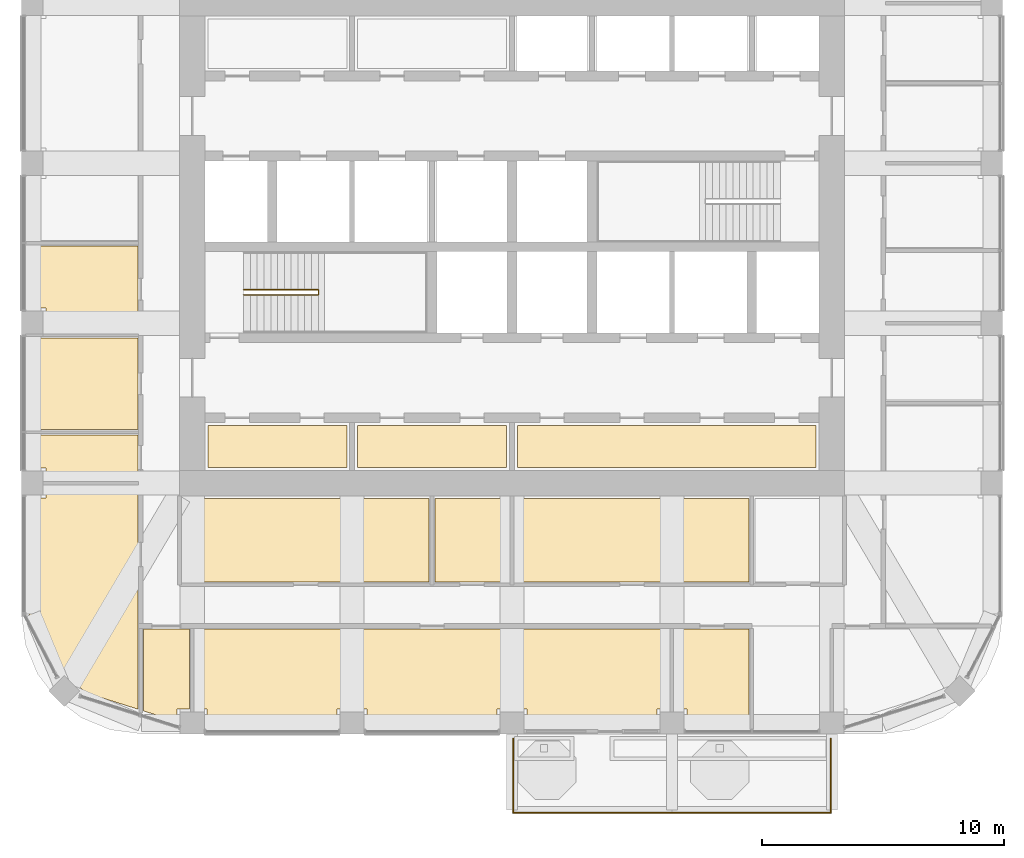
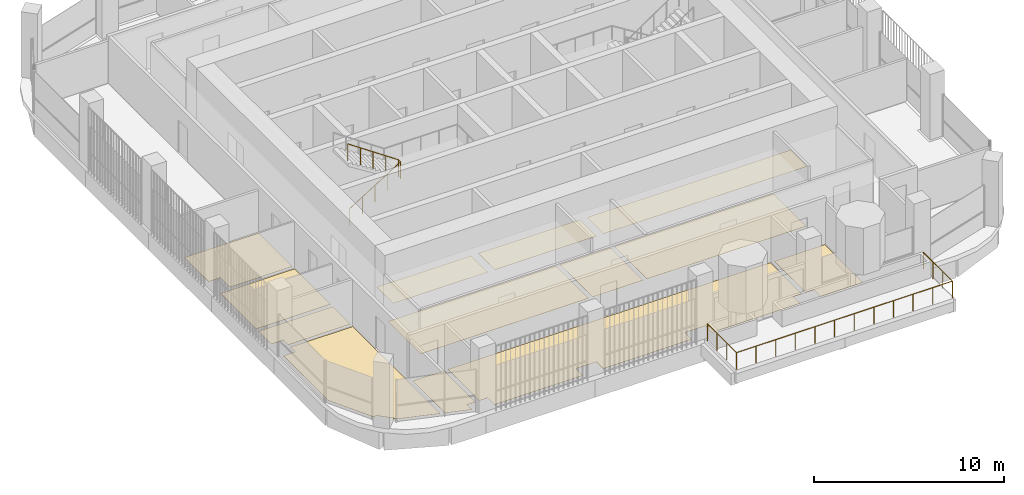
# One storey, part 18 of 21: 13 coverings, 2 railings.
"""IFC4 building model written with IfcOpenShell, lengths in metres."""

from ifc_helpers import new_model, si_unit, direction, frame, origin, place, context, subcontext, project, spatial, polyline, outline, extrude, material, layer, layer_set, type_object, element, save


model = new_model("IFC4")

# Units and contexts
model_context = context("Model", 3, precision=1e-05, world=origin(), true_north=direction((0.0, 1.0)))
body_context = subcontext(model_context, "Body", "Model", "MODEL_VIEW")
ifc_project = project(units=[si_unit("LENGTHUNIT", "METRE"), si_unit("AREAUNIT", "SQUARE_METRE"), si_unit("VOLUMEUNIT", "CUBIC_METRE"), si_unit("PLANEANGLEUNIT", "RADIAN"), si_unit("MASSUNIT", "GRAM", prefix="KILO")], contexts=[model_context])

# Site, building, storey
site_placement = place(None, origin())
site = spatial("IfcSite", under=ifc_project, at=site_placement, CompositionType="ELEMENT")
building_placement = place(site_placement, origin())
building = spatial("IfcBuilding", under=site, at=building_placement, Name="Cobogo Forest Laboratory Tower", CompositionType="ELEMENT")
storey_placement = place(building_placement, frame((0.0, 0.0, 275.39990234375)))
storey = spatial("IfcBuildingStorey", under=building, at=storey_placement, Name="L63", CompositionType="ELEMENT", Elevation=275.39990234375)

# Railing
ifc_material_1 = material(Name="Laminated glass balustrade", Category="glass")
railing_type_1 = type_object("IfcRailingType", Name="BG1 glass balustrade 1100", PredefinedType="GUARDRAIL", material=ifc_material_1)
railing_1_placement = place(storey_placement, frame((26.449951171875, 2.64990234375, 0.0)))
element("IfcRailing", 1, at=railing_1_placement, inside=storey, type_object=railing_type_1, Name="Balcony balustrade BAL-S1 L63", PredefinedType="GUARDRAIL", context=body_context, shape_type="SweptSolid", body=[
    extrude(outline(polyline([(0.022216796875, 0.00927734375), (0.00927734375, 0.022216796875), (-0.00927734375, 0.022216796875), (-0.022216796875, 0.00927734375), (-0.022216796875, -0.00927734375), (-0.00927734375, -0.022216796875), (0.00927734375, -0.022216796875), (0.022216796875, -0.00927734375), (0.022216796875, 0.00927734375)])), frame((0.0, 0.0, 1.077880859375), z_axis=(0.0, -1.0, 0.0), x_axis=(1.0, 0.0, 0.0)), (0.0, 0.0, 1.0), 3.0498046875),
    extrude(outline(polyline([(0.022216796875, 0.00927734375), (0.00927734375, 0.022216796875), (-0.00927734375, 0.022216796875), (-0.022216796875, 0.00927734375), (-0.022216796875, -0.00927734375), (-0.00927734375, -0.022216796875), (0.00927734375, -0.022216796875), (0.022216796875, -0.00927734375), (0.022216796875, 0.00927734375)])), frame((0.0, -3.0498046875, 1.077880859375), z_axis=(1.0, 0.0, 0.0), x_axis=(0.0, 1.0, 0.0)), (0.0, 0.0, 1.0), 13.10009765625),
    extrude(outline(polyline([(0.022216796875, 0.00927734375), (0.00927734375, 0.022216796875), (-0.00927734375, 0.022216796875), (-0.022216796875, 0.00927734375), (-0.022216796875, -0.00927734375), (-0.00927734375, -0.022216796875), (0.00927734375, -0.022216796875), (0.022216796875, -0.00927734375), (0.022216796875, 0.00927734375)])), frame((13.10009765625, -3.0498046875, 1.077880859375), z_axis=(0.0, 1.0, 0.0), x_axis=(-1.0, 0.0, 0.0)), (0.0, 0.0, 1.0), 3.0498046875),
    extrude(outline(polyline([(0.019287109375, 0.008056640625), (0.008056640625, 0.019287109375), (-0.008056640625, 0.019287109375), (-0.019287109375, 0.008056640625), (-0.019287109375, -0.008056640625), (-0.008056640625, -0.019287109375), (0.008056640625, -0.019287109375), (0.019287109375, -0.008056640625), (0.019287109375, 0.008056640625)])), origin(), (0.0, 0.0, 1.0), 1.077880859375),
    extrude(outline(polyline([(0.019287109375, 0.008056640625), (0.008056640625, 0.019287109375), (-0.008056640625, 0.019287109375), (-0.019287109375, 0.008056640625), (-0.019287109375, -0.008056640625), (-0.008056640625, -0.019287109375), (0.008056640625, -0.019287109375), (0.019287109375, -0.008056640625), (0.019287109375, 0.008056640625)])), frame((0.0, -1.0166015625, 0.0)), (0.0, 0.0, 1.0), 1.077880859375),
    extrude(outline(polyline([(0.019287109375, 0.008056640625), (0.008056640625, 0.019287109375), (-0.008056640625, 0.019287109375), (-0.019287109375, 0.008056640625), (-0.019287109375, -0.008056640625), (-0.008056640625, -0.019287109375), (0.008056640625, -0.019287109375), (0.019287109375, -0.008056640625), (0.019287109375, 0.008056640625)])), frame((0.0, -2.033203125, 0.0)), (0.0, 0.0, 1.0), 1.077880859375),
    extrude(outline(polyline([(0.019287109375, 0.008056640625), (0.008056640625, 0.019287109375), (-0.008056640625, 0.019287109375), (-0.019287109375, 0.008056640625), (-0.019287109375, -0.008056640625), (-0.008056640625, -0.019287109375), (0.008056640625, -0.019287109375), (0.019287109375, -0.008056640625), (0.019287109375, 0.008056640625)])), frame((0.0, -3.0498046875, 0.0)), (0.0, 0.0, 1.0), 1.077880859375),
    extrude(outline(polyline([(0.019287109375, 0.008056640625), (0.008056640625, 0.019287109375), (-0.008056640625, 0.019287109375), (-0.019287109375, 0.008056640625), (-0.019287109375, -0.008056640625), (-0.008056640625, -0.019287109375), (0.008056640625, -0.019287109375), (0.019287109375, -0.008056640625), (0.019287109375, 0.008056640625)])), frame((1.19091796875, -3.0498046875, 0.0)), (0.0, 0.0, 1.0), 1.077880859375),
    extrude(outline(polyline([(0.019287109375, 0.008056640625), (0.008056640625, 0.019287109375), (-0.008056640625, 0.019287109375), (-0.019287109375, 0.008056640625), (-0.019287109375, -0.008056640625), (-0.008056640625, -0.019287109375), (0.008056640625, -0.019287109375), (0.019287109375, -0.008056640625), (0.019287109375, 0.008056640625)])), frame((2.3818359375, -3.0498046875, 0.0)), (0.0, 0.0, 1.0), 1.077880859375),
    extrude(outline(polyline([(0.019287109375, 0.008056640625), (0.008056640625, 0.019287109375), (-0.008056640625, 0.019287109375), (-0.019287109375, 0.008056640625), (-0.019287109375, -0.008056640625), (-0.008056640625, -0.019287109375), (0.008056640625, -0.019287109375), (0.019287109375, -0.008056640625), (0.019287109375, 0.008056640625)])), frame((3.57275390625, -3.0498046875, 0.0)), (0.0, 0.0, 1.0), 1.077880859375),
    extrude(outline(polyline([(0.019287109375, 0.008056640625), (0.008056640625, 0.019287109375), (-0.008056640625, 0.019287109375), (-0.019287109375, 0.008056640625), (-0.019287109375, -0.008056640625), (-0.008056640625, -0.019287109375), (0.008056640625, -0.019287109375), (0.019287109375, -0.008056640625), (0.019287109375, 0.008056640625)])), frame((4.763671875, -3.0498046875, 0.0)), (0.0, 0.0, 1.0), 1.077880859375),
    extrude(outline(polyline([(0.019287109375, 0.008056640625), (0.008056640625, 0.019287109375), (-0.008056640625, 0.019287109375), (-0.019287109375, 0.008056640625), (-0.019287109375, -0.008056640625), (-0.008056640625, -0.019287109375), (0.008056640625, -0.019287109375), (0.019287109375, -0.008056640625), (0.019287109375, 0.008056640625)])), frame((5.95458984375, -3.0498046875, 0.0)), (0.0, 0.0, 1.0), 1.077880859375),
    extrude(outline(polyline([(0.019287109375, 0.008056640625), (0.008056640625, 0.019287109375), (-0.008056640625, 0.019287109375), (-0.019287109375, 0.008056640625), (-0.019287109375, -0.008056640625), (-0.008056640625, -0.019287109375), (0.008056640625, -0.019287109375), (0.019287109375, -0.008056640625), (0.019287109375, 0.008056640625)])), frame((7.1455078125, -3.0498046875, 0.0)), (0.0, 0.0, 1.0), 1.077880859375),
    extrude(outline(polyline([(0.019287109375, 0.008056640625), (0.008056640625, 0.019287109375), (-0.008056640625, 0.019287109375), (-0.019287109375, 0.008056640625), (-0.019287109375, -0.008056640625), (-0.008056640625, -0.019287109375), (0.008056640625, -0.019287109375), (0.019287109375, -0.008056640625), (0.019287109375, 0.008056640625)])), frame((8.33642578125, -3.0498046875, 0.0)), (0.0, 0.0, 1.0), 1.077880859375),
    extrude(outline(polyline([(0.019287109375, 0.008056640625), (0.008056640625, 0.019287109375), (-0.008056640625, 0.019287109375), (-0.019287109375, 0.008056640625), (-0.019287109375, -0.008056640625), (-0.008056640625, -0.019287109375), (0.008056640625, -0.019287109375), (0.019287109375, -0.008056640625), (0.019287109375, 0.008056640625)])), frame((9.52734375, -3.0498046875, 0.0)), (0.0, 0.0, 1.0), 1.077880859375),
    extrude(outline(polyline([(0.019287109375, 0.008056640625), (0.008056640625, 0.019287109375), (-0.008056640625, 0.019287109375), (-0.019287109375, 0.008056640625), (-0.019287109375, -0.008056640625), (-0.008056640625, -0.019287109375), (0.008056640625, -0.019287109375), (0.019287109375, -0.008056640625), (0.019287109375, 0.008056640625)])), frame((10.71826171875, -3.0498046875, 0.0)), (0.0, 0.0, 1.0), 1.077880859375),
    extrude(outline(polyline([(0.019287109375, 0.008056640625), (0.008056640625, 0.019287109375), (-0.008056640625, 0.019287109375), (-0.019287109375, 0.008056640625), (-0.019287109375, -0.008056640625), (-0.008056640625, -0.019287109375), (0.008056640625, -0.019287109375), (0.019287109375, -0.008056640625), (0.019287109375, 0.008056640625)])), frame((11.9091796875, -3.0498046875, 0.0)), (0.0, 0.0, 1.0), 1.077880859375),
    extrude(outline(polyline([(0.019287109375, 0.008056640625), (0.008056640625, 0.019287109375), (-0.008056640625, 0.019287109375), (-0.019287109375, 0.008056640625), (-0.019287109375, -0.008056640625), (-0.008056640625, -0.019287109375), (0.008056640625, -0.019287109375), (0.019287109375, -0.008056640625), (0.019287109375, 0.008056640625)])), frame((13.10009765625, -3.0498046875, 0.0)), (0.0, 0.0, 1.0), 1.077880859375),
    extrude(outline(polyline([(0.019287109375, 0.008056640625), (0.008056640625, 0.019287109375), (-0.008056640625, 0.019287109375), (-0.019287109375, 0.008056640625), (-0.019287109375, -0.008056640625), (-0.008056640625, -0.019287109375), (0.008056640625, -0.019287109375), (0.019287109375, -0.008056640625), (0.019287109375, 0.008056640625)])), frame((13.10009765625, -2.033203125, 0.0)), (0.0, 0.0, 1.0), 1.077880859375),
    extrude(outline(polyline([(0.019287109375, 0.008056640625), (0.008056640625, 0.019287109375), (-0.008056640625, 0.019287109375), (-0.019287109375, 0.008056640625), (-0.019287109375, -0.008056640625), (-0.008056640625, -0.019287109375), (0.008056640625, -0.019287109375), (0.019287109375, -0.008056640625), (0.019287109375, 0.008056640625)])), frame((13.10009765625, -1.0166015625, 0.0)), (0.0, 0.0, 1.0), 1.077880859375),
    extrude(outline(polyline([(0.019287109375, 0.008056640625), (0.008056640625, 0.019287109375), (-0.008056640625, 0.019287109375), (-0.019287109375, 0.008056640625), (-0.019287109375, -0.008056640625), (-0.008056640625, -0.019287109375), (0.008056640625, -0.019287109375), (0.019287109375, -0.008056640625), (0.019287109375, 0.008056640625)])), frame((13.10009765625, 0.0, 0.0)), (0.0, 0.0, 1.0), 1.077880859375),
])

# Coverings
ifc_material_2 = material(Name="Carpet tile on raised access floor", Category="flooring")
ifc_layer_1 = layer(ifc_material_2, 0.008056640625)
ifc_layer_set_1 = layer_set([ifc_layer_1], Name="CT1 carpet tile floor 8")
covering_type_1 = type_object("IfcCoveringType", Name="CT1 carpet tile floor 8", PredefinedType="FLOORING", material=ifc_layer_set_1)
covering_1_placement = place(storey_placement, origin())
element("IfcCovering", 2, at=covering_1_placement, inside=storey, type_object=covering_type_1, Name="Carpet floor L63-04", PredefinedType="FLOORING", context=body_context, shape_type="SweptSolid", body=[
    extrude(outline(polyline([(22.97998046875, 9.1201171875), (12.794921875, 9.1201171875), (12.794921875, 12.554931640625), (22.97998046875, 12.554931640625), (22.97998046875, 9.1201171875)])), origin(), (0.0, 0.0, 1.0), 0.008056640625),
])
covering_2_placement = place(storey_placement, origin())
element("IfcCovering", 3, at=covering_2_placement, inside=storey, type_object=covering_type_1, Name="Carpet floor L63-05", PredefinedType="FLOORING", context=body_context, shape_type="SweptSolid", body=[
    extrude(outline(polyline([(26.280029296875, 9.1201171875), (23.219970703125, 9.1201171875), (23.219970703125, 12.554931640625), (26.280029296875, 12.554931640625), (26.280029296875, 9.1201171875)])), origin(), (0.0, 0.0, 1.0), 0.008056640625),
])
covering_3_placement = place(storey_placement, origin())
element("IfcCovering", 4, at=covering_3_placement, inside=storey, type_object=covering_type_1, Name="Carpet floor L63-06", PredefinedType="FLOORING", context=body_context, shape_type="SweptSolid", body=[
    extrude(outline(polyline([(36.179931640625, 9.1201171875), (26.52001953125, 9.1201171875), (26.52001953125, 12.554931640625), (36.179931640625, 12.554931640625), (36.179931640625, 9.1201171875)])), origin(), (0.0, 0.0, 1.0), 0.008056640625),
])
covering_4_placement = place(storey_placement, origin())
element("IfcCovering", 5, at=covering_4_placement, inside=storey, type_object=covering_type_1, Name="Carpet floor L63-09", PredefinedType="FLOORING", context=body_context, shape_type="SweptSolid", body=[
    extrude(outline(polyline([(32.8798828125, 7.179931640625), (32.8798828125, 3.8701171875), (32.3798828125, 3.8701171875), (32.3798828125, 3.14990234375), (27.02001953125, 3.14990234375), (27.02001953125, 3.8701171875), (25.780029296875, 3.8701171875), (25.780029296875, 3.14990234375), (20.419921875, 3.14990234375), (20.419921875, 3.8701171875), (19.179931640625, 3.8701171875), (19.179931640625, 3.14990234375), (13.820068359375, 3.14990234375), (13.820068359375, 3.8701171875), (13.320068359375, 3.8701171875), (13.320068359375, 7.179931640625), (32.8798828125, 7.179931640625)])), origin(), (0.0, 0.0, 1.0), 0.008056640625),
])
covering_5_placement = place(storey_placement, origin())
element("IfcCovering", 6, at=covering_5_placement, inside=storey, type_object=covering_type_1, Name="Carpet floor L63-10", PredefinedType="FLOORING", context=body_context, shape_type="SweptSolid", body=[
    extrude(outline(polyline([(36.179931640625, 7.179931640625), (36.179931640625, 3.14990234375), (33.6201171875, 3.14990234375), (33.6201171875, 3.8701171875), (33.1201171875, 3.8701171875), (33.1201171875, 7.179931640625), (36.179931640625, 7.179931640625)])), origin(), (0.0, 0.0, 1.0), 0.008056640625),
])
covering_6_placement = place(storey_placement, origin())
element("IfcCovering", 7, at=covering_6_placement, inside=storey, type_object=covering_type_1, Name="Carpet floor L63-24", PredefinedType="FLOORING", context=body_context, shape_type="SweptSolid", body=[
    extrude(outline(polyline([(8.68994140625, 4.583984375), (8.72412109375, 4.617919921875), (7.91796875, 5.424072265625), (7.788818359375, 5.294921875), (6.449951171875, 7.84912109375), (6.449951171875, 12.580078125), (7.169921875, 12.580078125), (7.169921875, 13.080078125), (10.955078125, 13.080078125), (10.955078125, 3.86865234375), (8.68994140625, 4.583984375)])), origin(), (0.0, 0.0, 1.0), 0.008056640625),
])
covering_7_placement = place(storey_placement, origin())
element("IfcCovering", 8, at=covering_7_placement, inside=storey, type_object=covering_type_1, Name="Carpet floor L63-36", PredefinedType="FLOORING", context=body_context, shape_type="SweptSolid", body=[
    extrude(outline(polyline([(19.580078125, 13.844970703125), (13.844970703125, 13.844970703125), (13.844970703125, 15.580078125), (19.580078125, 15.580078125), (19.580078125, 13.844970703125)])), origin(), (0.0, 0.0, 1.0), 0.008056640625),
])
covering_8_placement = place(storey_placement, origin())
element("IfcCovering", 9, at=covering_8_placement, inside=storey, type_object=covering_type_1, Name="Carpet floor L63-38", PredefinedType="FLOORING", context=body_context, shape_type="SweptSolid", body=[
    extrude(outline(polyline([(38.955078125, 13.844970703125), (26.6201171875, 13.844970703125), (26.6201171875, 15.580078125), (38.955078125, 15.580078125), (38.955078125, 13.844970703125)])), origin(), (0.0, 0.0, 1.0), 0.008056640625),
])

# Railing
ifc_material_3 = material(Name="Steel balustrade", Category="steel")
railing_type_2 = type_object("IfcRailingType", Name="GR stair guard 1100", PredefinedType="GUARDRAIL", material=ifc_material_3)
railing_2_placement = place(storey_placement, frame((15.324951171875, 20.969970703125, 0.175048828125)))
element("IfcRailing", 10, at=railing_2_placement, inside=storey, type_object=railing_type_2, Name="Stair guard ST1 L63", PredefinedType="GUARDRAIL", context=body_context, shape_type="SweptSolid", body=[
    extrude(outline(polyline([(0.022216796875, 0.00927734375), (0.00927734375, 0.022216796875), (-0.00927734375, 0.022216796875), (-0.022216796875, 0.00927734375), (-0.022216796875, -0.00927734375), (-0.00927734375, -0.022216796875), (0.00927734375, -0.022216796875), (0.022216796875, -0.00927734375), (0.022216796875, 0.00927734375)])), frame((0.0, 0.0, 1.077880859375), z_axis=(0.847998304005, 0.0, 0.529998940003), x_axis=(0.0, 1.0, 0.0)), (0.0, 0.0, 1.0), 3.632080078125),
    extrude(outline(polyline([(0.022216796875, 0.00927734375), (0.00927734375, 0.022216796875), (-0.00927734375, 0.022216796875), (-0.022216796875, 0.00927734375), (-0.022216796875, -0.00927734375), (-0.00927734375, -0.022216796875), (0.00927734375, -0.022216796875), (0.022216796875, -0.00927734375), (0.022216796875, 0.00927734375)])), frame((3.080078125, 0.0, 3.0029296875), z_axis=(0.0, 1.0, 0.0), x_axis=(-1.0, 0.0, 0.0)), (0.0, 0.0, 1.0), 0.2099609375),
    extrude(outline(polyline([(0.022216796875, 0.00927734375), (0.00927734375, 0.022216796875), (-0.00927734375, 0.022216796875), (-0.022216796875, 0.00927734375), (-0.022216796875, -0.00927734375), (-0.00927734375, -0.022216796875), (0.00927734375, -0.022216796875), (0.022216796875, -0.00927734375), (0.022216796875, 0.00927734375)])), frame((3.080078125, 0.2099609375, 3.0029296875), z_axis=(-0.826221800596, 0.0, 0.563344953133), x_axis=(0.0, -1.0, 0.0)), (0.0, 0.0, 1.0), 3.72802734375),
    extrude(outline(polyline([(0.019287109375, 0.008056640625), (0.008056640625, 0.019287109375), (-0.008056640625, 0.019287109375), (-0.019287109375, 0.008056640625), (-0.019287109375, -0.008056640625), (-0.008056640625, -0.019287109375), (0.008056640625, -0.019287109375), (0.019287109375, -0.008056640625), (0.019287109375, 0.008056640625)])), origin(), (0.0, 0.0, 1.0), 1.077880859375),
    extrude(outline(polyline([(0.019287109375, 0.008056640625), (0.008056640625, 0.019287109375), (-0.008056640625, 0.019287109375), (-0.019287109375, 0.008056640625), (-0.019287109375, -0.008056640625), (-0.008056640625, -0.019287109375), (0.008056640625, -0.019287109375), (0.019287109375, -0.008056640625), (0.019287109375, 0.008056640625)])), frame((0.77001953125, 0.0, 0.481201171875)), (0.0, 0.0, 1.0), 1.077880859375),
    extrude(outline(polyline([(0.019287109375, 0.008056640625), (0.008056640625, 0.019287109375), (-0.008056640625, 0.019287109375), (-0.019287109375, 0.008056640625), (-0.019287109375, -0.008056640625), (-0.008056640625, -0.019287109375), (0.008056640625, -0.019287109375), (0.019287109375, -0.008056640625), (0.019287109375, 0.008056640625)])), frame((1.5400390625, 0.0, 0.96240234375)), (0.0, 0.0, 1.0), 1.077880859375),
    extrude(outline(polyline([(0.019287109375, 0.008056640625), (0.008056640625, 0.019287109375), (-0.008056640625, 0.019287109375), (-0.019287109375, 0.008056640625), (-0.019287109375, -0.008056640625), (-0.008056640625, -0.019287109375), (0.008056640625, -0.019287109375), (0.019287109375, -0.008056640625), (0.019287109375, 0.008056640625)])), frame((2.31005859375, 0.0, 1.44384765625)), (0.0, 0.0, 1.0), 1.077880859375),
    extrude(outline(polyline([(0.019287109375, 0.008056640625), (0.008056640625, 0.019287109375), (-0.008056640625, 0.019287109375), (-0.019287109375, 0.008056640625), (-0.019287109375, -0.008056640625), (-0.008056640625, -0.019287109375), (0.008056640625, -0.019287109375), (0.019287109375, -0.008056640625), (0.019287109375, 0.008056640625)])), frame((3.080078125, 0.0, 1.925048828125)), (0.0, 0.0, 1.0), 1.077880859375),
    extrude(outline(polyline([(0.019287109375, 0.008056640625), (0.008056640625, 0.019287109375), (-0.008056640625, 0.019287109375), (-0.019287109375, 0.008056640625), (-0.019287109375, -0.008056640625), (-0.008056640625, -0.019287109375), (0.008056640625, -0.019287109375), (0.019287109375, -0.008056640625), (0.019287109375, 0.008056640625)])), frame((3.080078125, 0.2099609375, 1.925048828125)), (0.0, 0.0, 1.0), 1.077880859375),
    extrude(outline(polyline([(0.019287109375, 0.008056640625), (0.008056640625, 0.019287109375), (-0.008056640625, 0.019287109375), (-0.019287109375, 0.008056640625), (-0.019287109375, -0.008056640625), (-0.008056640625, -0.019287109375), (0.008056640625, -0.019287109375), (0.019287109375, -0.008056640625), (0.019287109375, 0.008056640625)])), frame((2.31005859375, 0.2099609375, 2.4501953125)), (0.0, 0.0, 1.0), 1.077880859375),
    extrude(outline(polyline([(0.019287109375, 0.008056640625), (0.008056640625, 0.019287109375), (-0.008056640625, 0.019287109375), (-0.019287109375, 0.008056640625), (-0.019287109375, -0.008056640625), (-0.008056640625, -0.019287109375), (0.008056640625, -0.019287109375), (0.019287109375, -0.008056640625), (0.019287109375, 0.008056640625)])), frame((1.5400390625, 0.2099609375, 2.97509765625)), (0.0, 0.0, 1.0), 1.077880859375),
    extrude(outline(polyline([(0.019287109375, 0.008056640625), (0.008056640625, 0.019287109375), (-0.008056640625, 0.019287109375), (-0.019287109375, 0.008056640625), (-0.019287109375, -0.008056640625), (-0.008056640625, -0.019287109375), (0.008056640625, -0.019287109375), (0.019287109375, -0.008056640625), (0.019287109375, 0.008056640625)])), frame((0.77001953125, 0.2099609375, 3.5)), (0.0, 0.0, 1.0), 1.077880859375),
    extrude(outline(polyline([(0.019287109375, 0.008056640625), (0.008056640625, 0.019287109375), (-0.008056640625, 0.019287109375), (-0.019287109375, 0.008056640625), (-0.019287109375, -0.008056640625), (-0.008056640625, -0.019287109375), (0.008056640625, -0.019287109375), (0.019287109375, -0.008056640625), (0.019287109375, 0.008056640625)])), frame((0.0, 0.2099609375, 4.025146484375)), (0.0, 0.0, 1.0), 1.077880859375),
])

# Coverings
ifc_material_4 = material(Name="Epoxy resin flooring", Category="flooring")
ifc_layer_2 = layer(ifc_material_4, 0.00390625)
ifc_layer_set_2 = layer_set([ifc_layer_2], Name="LF1 epoxy laboratory floor 4")
covering_type_2 = type_object("IfcCoveringType", Name="LF1 epoxy laboratory floor 4", PredefinedType="FLOORING", material=ifc_layer_set_2)
covering_9_placement = place(storey_placement, origin())
element("IfcCovering", 11, at=covering_9_placement, inside=storey, type_object=covering_type_2, Name="Epoxy laboratory floor L63-08", PredefinedType="FLOORING", context=body_context, shape_type="SweptSolid", body=[
    extrude(outline(polyline([(13.080078125, 7.179931640625), (13.080078125, 3.8701171875), (12.580078125, 3.8701171875), (12.580078125, 3.35546875), (11.195068359375, 3.79296875), (11.195068359375, 7.179931640625), (13.080078125, 7.179931640625)])), origin(), (0.0, 0.0, 1.0), 0.004150390625),
])
ifc_material_5 = material(Name="Ceramic floor tile", Category="flooring")
ifc_layer_3 = layer(ifc_material_5, 0.010009765625)
ifc_layer_set_3 = layer_set([ifc_layer_3], Name="TF1 ceramic tile floor 10")
covering_type_3 = type_object("IfcCoveringType", Name="TF1 ceramic tile floor 10", PredefinedType="FLOORING", material=ifc_layer_set_3)
covering_10_placement = place(storey_placement, origin())
element("IfcCovering", 12, at=covering_10_placement, inside=storey, type_object=covering_type_3, Name="Tile floor L63-25", PredefinedType="FLOORING", context=body_context, shape_type="SweptSolid", body=[
    extrude(outline(polyline([(10.955078125, 13.320068359375), (7.169921875, 13.320068359375), (7.169921875, 13.820068359375), (6.449951171875, 13.820068359375), (6.449951171875, 15.179931640625), (10.955078125, 15.179931640625), (10.955078125, 13.320068359375)])), origin(), (0.0, 0.0, 1.0), 0.010009765625),
])
covering_11_placement = place(storey_placement, origin())
element("IfcCovering", 13, at=covering_11_placement, inside=storey, type_object=covering_type_3, Name="Tile floor L63-26", PredefinedType="FLOORING", context=body_context, shape_type="SweptSolid", body=[
    extrude(outline(polyline([(10.955078125, 15.419921875), (6.449951171875, 15.419921875), (6.449951171875, 19.179931640625), (10.955078125, 19.179931640625), (10.955078125, 15.419921875)])), origin(), (0.0, 0.0, 1.0), 0.010009765625),
])
covering_12_placement = place(storey_placement, origin())
element("IfcCovering", 14, at=covering_12_placement, inside=storey, type_object=covering_type_3, Name="Tile floor L63-27", PredefinedType="FLOORING", context=body_context, shape_type="SweptSolid", body=[
    extrude(outline(polyline([(10.955078125, 19.419921875), (7.169921875, 19.419921875), (7.169921875, 20.419921875), (6.449951171875, 20.419921875), (6.449951171875, 22.97998046875), (10.955078125, 22.97998046875), (10.955078125, 19.419921875)])), origin(), (0.0, 0.0, 1.0), 0.010009765625),
])
covering_13_placement = place(storey_placement, origin())
element("IfcCovering", 15, at=covering_13_placement, inside=storey, type_object=covering_type_3, Name="Tile floor L63-37", PredefinedType="FLOORING", context=body_context, shape_type="SweptSolid", body=[
    extrude(outline(polyline([(26.179931640625, 13.844970703125), (20.02001953125, 13.844970703125), (20.02001953125, 15.580078125), (26.179931640625, 15.580078125), (26.179931640625, 13.844970703125)])), origin(), (0.0, 0.0, 1.0), 0.010009765625),
])

save(model, "model.ifc")
